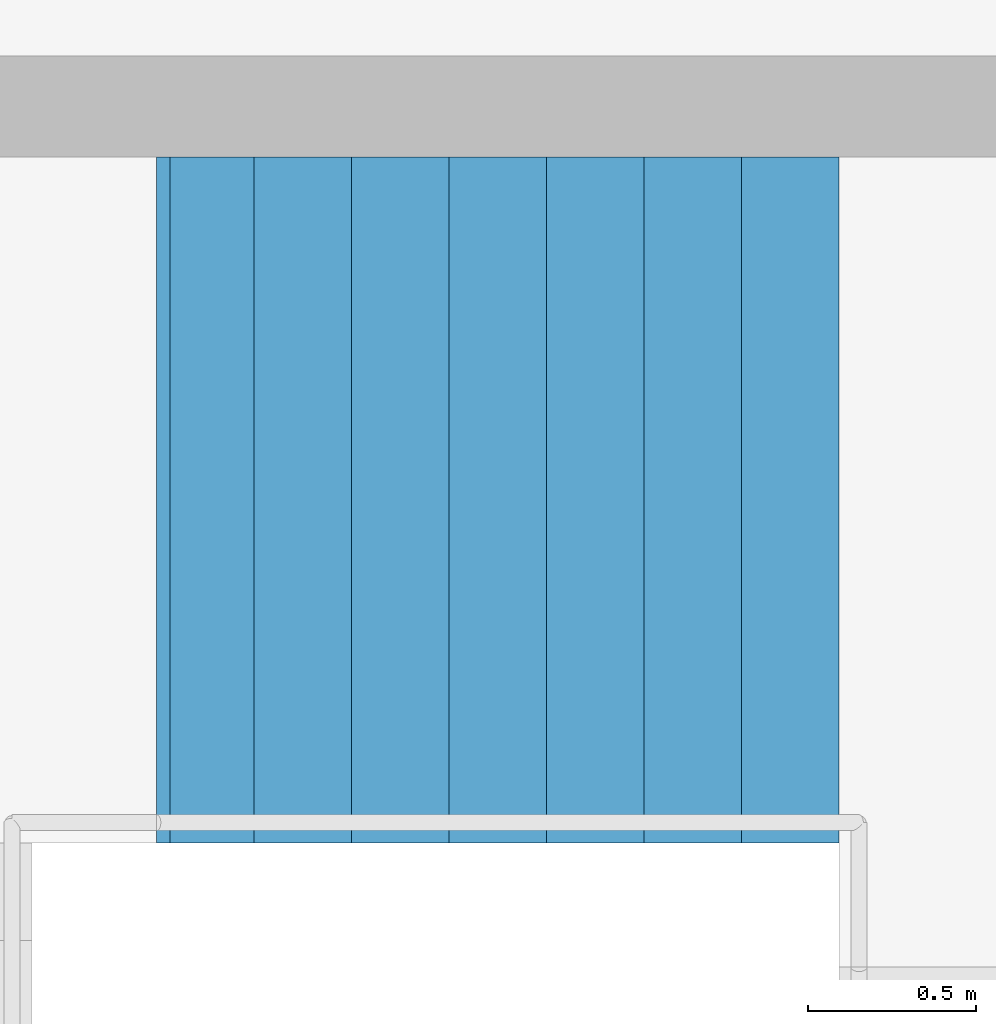
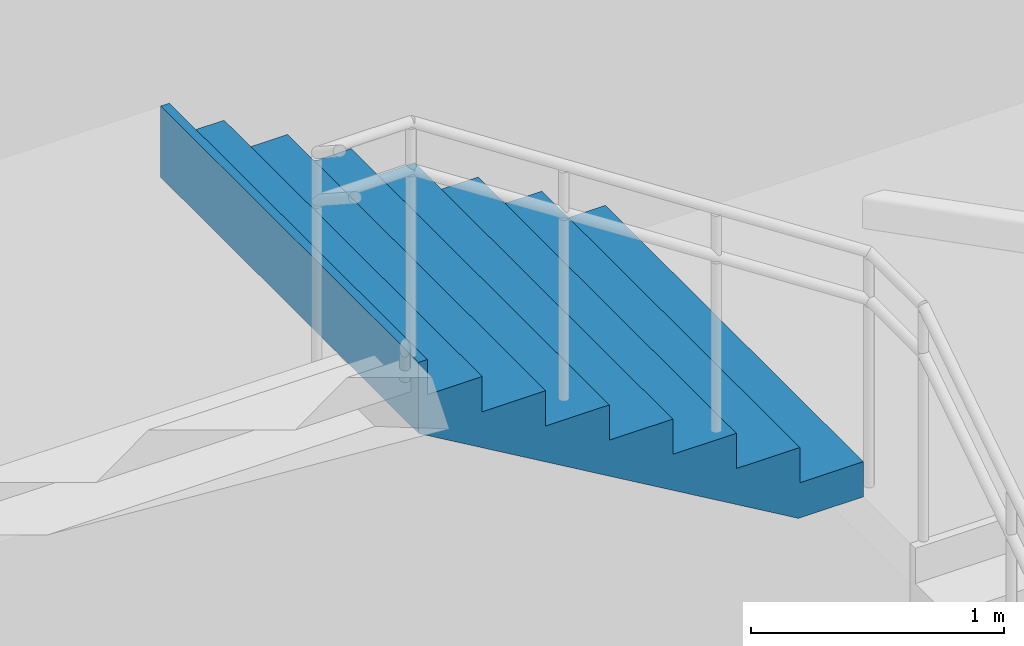
# One storey, part 62 of 74: 1 stair flight, 1 element without a shape of its own.
"""IFC4 building model written with IfcOpenShell, lengths in metres."""

from ifc_helpers import new_model, si_unit, direction, frame, origin, place, context, subcontext, project, spatial, triangles, material, type_object, element, aggregate, save


model = new_model("IFC4")

# Units and contexts
model_context = context("Model", 3, precision=1e-05, world=origin(), true_north=direction((0.0, 1.0)))
body_context = subcontext(model_context, "Body", "Model", "MODEL_VIEW")
ifc_project = project(units=[si_unit("LENGTHUNIT", "METRE"), si_unit("AREAUNIT", "SQUARE_METRE"), si_unit("VOLUMEUNIT", "CUBIC_METRE"), si_unit("PLANEANGLEUNIT", "RADIAN"), si_unit("MASSUNIT", "GRAM", prefix="KILO")], contexts=[model_context])

# Site, building, storey
site_placement = place(None, origin())
site = spatial("IfcSite", under=ifc_project, at=site_placement, CompositionType="ELEMENT")
building_placement = place(site_placement, origin())
building = spatial("IfcBuilding", under=site, at=building_placement, Name="Sillaruma Civic Art Gallery", CompositionType="ELEMENT")
storey_placement = place(building_placement, frame((0.0, 0.0, 5.43994140625)))
storey = spatial("IfcBuildingStorey", under=building, at=storey_placement, Name="L01", CompositionType="ELEMENT", Elevation=5.43994140625)

# Stair, stair flight
ifc_material = material(Name="Concrete H35 (35 MPa)", Category="concrete")
stair_type = type_object("IfcStairType", Name="STR-4F-32", PredefinedType="USERDEFINED", material=ifc_material)
stair_placement = place(storey_placement, origin())
stair = element("IfcStair", 1, at=stair_placement, inside=storey, type_object=stair_type, Name="Protected Exit Stair ST-01 (West Wing) (L01)", ObjectType="THREE_RETURN_STAIR", PredefinedType="USERDEFINED")
stair_flight_type = type_object("IfcStairFlightType", Name="SFL-STR-8", PredefinedType="STRAIGHT", material=ifc_material)
stair_flight_placement = place(storey_placement, frame((30.0, 106.159912109375, 2.719970703125), z_axis=(0.0, 0.0, 1.0), x_axis=(-1.0, 0.0, 0.0)))
stair_flight = element("IfcStairFlight", 2, at=stair_flight_placement, type_object=stair_flight_type, Name="ST-01 flight 3", NumberOfRisers=8, NumberOfTreads=7, PredefinedType="STRAIGHT", RiserHeight=0.17, TreadLength=0.29, context=body_context, shape_type="Tessellation", body=[
    triangles([(0.0, -1.02001953125, 0.0), (0.29, -1.02001953125, 0.0), (0.296443, -1.02001953125, 0.0), (0.58, -1.02001953125, 0.166223), (0.87, -1.02001953125, 0.336223), (1.16, -1.02001953125, 0.506223), (1.45, -1.02001953125, 0.676223), (1.74, -1.02001953125, 0.846223), (1.990029, -1.02001953125, 0.992792), (2.030029, -1.02001953125, 1.01624), (2.030029, -1.02001953125, 1.36), (1.990029, -1.02001953125, 1.36), (1.990029, -1.02001953125, 1.19), (1.74, -1.02001953125, 1.19), (1.74, -1.02001953125, 1.02), (1.45, -1.02001953125, 1.02), (1.45, -1.02001953125, 0.85), (1.16, -1.02001953125, 0.85), (1.16, -1.02001953125, 0.68), (0.87, -1.02001953125, 0.68), (0.87, -1.02001953125, 0.51), (0.58, -1.02001953125, 0.51), (0.58, -1.02001953125, 0.34), (0.296443, -1.02001953125, 0.34), (0.29, -1.02001953125, 0.34), (0.29, -1.02001953125, 0.17), (0.0, -1.02001953125, 0.17), (0.0, -0.05, 0.0), (0.29, -0.05, 0.0), (0.296443, -0.05, 0.0), (0.58, -0.05, 0.166223), (0.87, -0.05, 0.336223), (1.16, -0.05, 0.506223), (1.45, -0.05, 0.676223), (1.74, -0.05, 0.846223), (1.990029, -0.05, 0.992792), (2.030029, -0.05, 1.01624), (2.030029, -0.05, 1.36), (1.990029, -0.05, 1.36), (1.990029, -0.05, 1.19), (1.74, -0.05, 1.19), (1.74, -0.05, 1.02), (1.45, -0.05, 1.02), (1.45, -0.05, 0.85), (1.16, -0.05, 0.85), (1.16, -0.05, 0.68), (0.87, -0.05, 0.68), (0.87, -0.05, 0.51), (0.58, -0.05, 0.51), (0.58, -0.05, 0.34), (0.296443, -0.05, 0.34), (0.29, -0.05, 0.34), (0.29, -0.05, 0.17), (0.0, -0.05, 0.17), (0.0, -0.0375, 0.0), (0.29, -0.0375, 0.0), (0.296443, -0.0375, 0.0), (0.58, -0.0375, 0.166223), (0.87, -0.0375, 0.336223), (1.16, -0.0375, 0.506223), (1.45, -0.0375, 0.676223), (1.74, -0.0375, 0.846223), (1.990029, -0.0375, 0.992792), (2.030029, -0.0375, 1.01624), (2.030029, -0.0375, 1.36), (1.990029, -0.0375, 1.36), (1.990029, -0.0375, 1.19), (1.74, -0.0375, 1.19), (1.74, -0.0375, 1.02), (1.45, -0.0375, 1.02), (1.45, -0.0375, 0.85), (1.16, -0.0375, 0.85), (1.16, -0.0375, 0.68), (0.87, -0.0375, 0.68), (0.87, -0.0375, 0.51), (0.58, -0.0375, 0.51), (0.58, -0.0375, 0.34), (0.296443, -0.0375, 0.34), (0.29, -0.0375, 0.34), (0.29, -0.0375, 0.17), (0.0, -0.0375, 0.17), (0.0, -0.025, 0.0), (0.29, -0.025, 0.0), (0.296443, -0.025, 0.0), (0.58, -0.025, 0.166223), (0.87, -0.025, 0.336223), (1.16, -0.025, 0.506223), (1.45, -0.025, 0.676223), (1.74, -0.025, 0.846223), (1.990029, -0.025, 0.992792), (2.030029, -0.025, 1.01624), (2.030029, -0.025, 1.36), (1.990029, -0.025, 1.36), (1.990029, -0.025, 1.19), (1.74, -0.025, 1.19), (1.74, -0.025, 1.02), (1.45, -0.025, 1.02), (1.45, -0.025, 0.85), (1.16, -0.025, 0.85), (1.16, -0.025, 0.68), (0.87, -0.025, 0.68), (0.87, -0.025, 0.51), (0.58, -0.025, 0.51), (0.58, -0.025, 0.34), (0.296443, -0.025, 0.34), (0.29, -0.025, 0.34), (0.29, -0.025, 0.17), (0.0, -0.025, 0.17), (0.0, -0.0125, 0.0), (0.29, -0.0125, 0.0), (0.296443, -0.0125, 0.0), (0.58, -0.0125, 0.166223), (0.87, -0.0125, 0.336223), (1.16, -0.0125, 0.506223), (1.45, -0.0125, 0.676223), (1.74, -0.0125, 0.846223), (1.990029, -0.0125, 0.992792), (2.030029, -0.0125, 1.01624), (2.030029, -0.0125, 1.36), (1.990029, -0.0125, 1.36), (1.990029, -0.0125, 1.19), (1.74, -0.0125, 1.19), (1.74, -0.0125, 1.02), (1.45, -0.0125, 1.02), (1.45, -0.0125, 0.85), (1.16, -0.0125, 0.85), (1.16, -0.0125, 0.68), (0.87, -0.0125, 0.68), (0.87, -0.0125, 0.51), (0.58, -0.0125, 0.51), (0.58, -0.0125, 0.34), (0.296443, -0.0125, 0.34), (0.29, -0.0125, 0.34), (0.29, -0.0125, 0.17), (0.0, -0.0125, 0.17), (0.0, 0.0, 0.0), (0.29, 0.0, 0.0), (0.296443, 0.0, 0.0), (0.58, 0.0, 0.166223), (0.87, 0.0, 0.336223), (1.16, 0.0, 0.506223), (1.45, 0.0, 0.676223), (1.74, 0.0, 0.846223), (1.990029, 0.0, 0.992792), (2.030029, 0.0, 1.01624), (2.030029, 0.0, 1.36), (1.990029, 0.0, 1.36), (1.990029, 0.0, 1.19), (1.74, 0.0, 1.19), (1.74, 0.0, 1.02), (1.45, 0.0, 1.02), (1.45, 0.0, 0.85), (1.16, 0.0, 0.85), (1.16, 0.0, 0.68), (0.87, 0.0, 0.68), (0.87, 0.0, 0.51), (0.58, 0.0, 0.51), (0.58, 0.0, 0.34), (0.296443, 0.0, 0.34), (0.29, 0.0, 0.34), (0.29, 0.0, 0.17), (0.0, 0.0, 0.17), (0.0, 0.0125, 0.0), (0.29, 0.0125, 0.0), (0.296443, 0.0125, 0.0), (0.58, 0.0125, 0.166223), (0.87, 0.0125, 0.336223), (1.16, 0.0125, 0.506223), (1.45, 0.0125, 0.676223), (1.74, 0.0125, 0.846223), (1.990029, 0.0125, 0.992792), (2.030029, 0.0125, 1.01624), (2.030029, 0.0125, 1.36), (1.990029, 0.0125, 1.36), (1.990029, 0.0125, 1.19), (1.74, 0.0125, 1.19), (1.74, 0.0125, 1.02), (1.45, 0.0125, 1.02), (1.45, 0.0125, 0.85), (1.16, 0.0125, 0.85), (1.16, 0.0125, 0.68), (0.87, 0.0125, 0.68), (0.87, 0.0125, 0.51), (0.58, 0.0125, 0.51), (0.58, 0.0125, 0.34), (0.296443, 0.0125, 0.34), (0.29, 0.0125, 0.34), (0.29, 0.0125, 0.17), (0.0, 0.0125, 0.17), (0.0, 0.025, 0.0), (0.29, 0.025, 0.0), (0.296443, 0.025, 0.0), (0.58, 0.025, 0.166223), (0.87, 0.025, 0.336223), (1.16, 0.025, 0.506223), (1.45, 0.025, 0.676223), (1.74, 0.025, 0.846223), (1.990029, 0.025, 0.992792), (2.030029, 0.025, 1.01624), (2.030029, 0.025, 1.36), (1.990029, 0.025, 1.36), (1.990029, 0.025, 1.19), (1.74, 0.025, 1.19), (1.74, 0.025, 1.02), (1.45, 0.025, 1.02), (1.45, 0.025, 0.85), (1.16, 0.025, 0.85), (1.16, 0.025, 0.68), (0.87, 0.025, 0.68), (0.87, 0.025, 0.51), (0.58, 0.025, 0.51), (0.58, 0.025, 0.34), (0.296443, 0.025, 0.34), (0.29, 0.025, 0.34), (0.29, 0.025, 0.17), (0.0, 0.025, 0.17), (0.0, 0.0375, 0.0), (0.29, 0.0375, 0.0), (0.296443, 0.0375, 0.0), (0.58, 0.0375, 0.166223), (0.87, 0.0375, 0.336223), (1.16, 0.0375, 0.506223), (1.45, 0.0375, 0.676223), (1.74, 0.0375, 0.846223), (1.990029, 0.0375, 0.992792), (2.030029, 0.0375, 1.01624), (2.030029, 0.0375, 1.36), (1.990029, 0.0375, 1.36), (1.990029, 0.0375, 1.19), (1.74, 0.0375, 1.19), (1.74, 0.0375, 1.02), (1.45, 0.0375, 1.02), (1.45, 0.0375, 0.85), (1.16, 0.0375, 0.85), (1.16, 0.0375, 0.68), (0.87, 0.0375, 0.68), (0.87, 0.0375, 0.51), (0.58, 0.0375, 0.51), (0.58, 0.0375, 0.34), (0.296443, 0.0375, 0.34), (0.29, 0.0375, 0.34), (0.29, 0.0375, 0.17), (0.0, 0.0375, 0.17), (0.0, 0.05, 0.0), (0.29, 0.05, 0.0), (0.296443, 0.05, 0.0), (0.58, 0.05, 0.166223), (0.87, 0.05, 0.336223), (1.16, 0.05, 0.506223), (1.45, 0.05, 0.676223), (1.74, 0.05, 0.846223), (1.990029, 0.05, 0.992792), (2.030029, 0.05, 1.01624), (2.030029, 0.05, 1.36), (1.990029, 0.05, 1.36), (1.990029, 0.05, 1.19), (1.74, 0.05, 1.19), (1.74, 0.05, 1.02), (1.45, 0.05, 1.02), (1.45, 0.05, 0.85), (1.16, 0.05, 0.85), (1.16, 0.05, 0.68), (0.87, 0.05, 0.68), (0.87, 0.05, 0.51), (0.58, 0.05, 0.51), (0.58, 0.05, 0.34), (0.296443, 0.05, 0.34), (0.29, 0.05, 0.34), (0.29, 0.05, 0.17), (0.0, 0.05, 0.17), (0.0, 1.02001953125, 0.0), (0.29, 1.02001953125, 0.0), (0.296443, 1.02001953125, 0.0), (0.58, 1.02001953125, 0.166223), (0.87, 1.02001953125, 0.336223), (1.16, 1.02001953125, 0.506223), (1.45, 1.02001953125, 0.676223), (1.74, 1.02001953125, 0.846223), (1.990029, 1.02001953125, 0.992792), (2.030029, 1.02001953125, 1.01624), (2.030029, 1.02001953125, 1.36), (1.990029, 1.02001953125, 1.36), (1.990029, 1.02001953125, 1.19), (1.74, 1.02001953125, 1.19), (1.74, 1.02001953125, 1.02), (1.45, 1.02001953125, 1.02), (1.45, 1.02001953125, 0.85), (1.16, 1.02001953125, 0.85), (1.16, 1.02001953125, 0.68), (0.87, 1.02001953125, 0.68), (0.87, 1.02001953125, 0.51), (0.58, 1.02001953125, 0.51), (0.58, 1.02001953125, 0.34), (0.296443, 1.02001953125, 0.34), (0.29, 1.02001953125, 0.34), (0.29, 1.02001953125, 0.17), (0.0, 1.02001953125, 0.17)], [[1, 2, 26], [1, 26, 27], [2, 3, 24], [2, 24, 26], [26, 24, 25], [3, 4, 23], [3, 23, 24], [4, 5, 21], [4, 21, 23], [23, 21, 22], [5, 6, 19], [5, 19, 21], [21, 19, 20], [6, 7, 17], [6, 17, 19], [19, 17, 18], [7, 8, 15], [7, 15, 17], [17, 15, 16], [8, 9, 13], [8, 13, 15], [15, 13, 14], [9, 10, 11], [9, 11, 13], [13, 11, 12], [296, 272, 271], [297, 296, 271], [294, 273, 272], [296, 294, 272], [295, 294, 296], [293, 274, 273], [294, 293, 273], [291, 275, 274], [293, 291, 274], [292, 291, 293], [289, 276, 275], [291, 289, 275], [290, 289, 291], [287, 277, 276], [289, 287, 276], [288, 287, 289], [285, 278, 277], [287, 285, 277], [286, 285, 287], [283, 279, 278], [285, 283, 278], [284, 283, 285], [281, 280, 279], [283, 281, 279], [282, 281, 283], [2, 1, 28], [2, 28, 29], [3, 2, 29], [3, 29, 30], [4, 3, 30], [4, 30, 31], [5, 4, 31], [5, 31, 32], [6, 5, 32], [6, 32, 33], [7, 6, 33], [7, 33, 34], [8, 7, 34], [8, 34, 35], [9, 8, 35], [9, 35, 36], [10, 9, 36], [10, 36, 37], [11, 10, 37], [11, 37, 38], [12, 11, 38], [12, 38, 39], [13, 12, 39], [13, 39, 40], [14, 13, 40], [14, 40, 41], [15, 14, 41], [15, 41, 42], [16, 15, 42], [16, 42, 43], [17, 16, 43], [17, 43, 44], [18, 17, 44], [18, 44, 45], [19, 18, 45], [19, 45, 46], [20, 19, 46], [20, 46, 47], [21, 20, 47], [21, 47, 48], [22, 21, 48], [22, 48, 49], [23, 22, 49], [23, 49, 50], [24, 23, 50], [24, 50, 51], [25, 24, 51], [25, 51, 52], [26, 25, 52], [26, 52, 53], [27, 26, 53], [27, 53, 54], [1, 27, 54], [1, 54, 28], [29, 28, 55], [29, 55, 56], [30, 29, 56], [30, 56, 57], [31, 30, 57], [31, 57, 58], [32, 31, 58], [32, 58, 59], [33, 32, 59], [33, 59, 60], [34, 33, 60], [34, 60, 61], [35, 34, 61], [35, 61, 62], [36, 35, 62], [36, 62, 63], [37, 36, 63], [37, 63, 64], [38, 37, 64], [38, 64, 65], [39, 38, 65], [39, 65, 66], [40, 39, 66], [40, 66, 67], [41, 40, 67], [41, 67, 68], [42, 41, 68], [42, 68, 69], [43, 42, 69], [43, 69, 70], [44, 43, 70], [44, 70, 71], [45, 44, 71], [45, 71, 72], [46, 45, 72], [46, 72, 73], [47, 46, 73], [47, 73, 74], [48, 47, 74], [48, 74, 75], [49, 48, 75], [49, 75, 76], [50, 49, 76], [50, 76, 77], [51, 50, 77], [51, 77, 78], [52, 51, 78], [52, 78, 79], [53, 52, 79], [53, 79, 80], [54, 53, 80], [54, 80, 81], [28, 54, 81], [28, 81, 55], [56, 55, 82], [56, 82, 83], [57, 56, 83], [57, 83, 84], [58, 57, 84], [58, 84, 85], [59, 58, 85], [59, 85, 86], [60, 59, 86], [60, 86, 87], [61, 60, 87], [61, 87, 88], [62, 61, 88], [62, 88, 89], [63, 62, 89], [63, 89, 90], [64, 63, 90], [64, 90, 91], [65, 64, 91], [65, 91, 92], [66, 65, 92], [66, 92, 93], [67, 66, 93], [67, 93, 94], [68, 67, 94], [68, 94, 95], [69, 68, 95], [69, 95, 96], [70, 69, 96], [70, 96, 97], [71, 70, 97], [71, 97, 98], [72, 71, 98], [72, 98, 99], [73, 72, 99], [73, 99, 100], [74, 73, 100], [74, 100, 101], [75, 74, 101], [75, 101, 102], [76, 75, 102], [76, 102, 103], [77, 76, 103], [77, 103, 104], [78, 77, 104], [78, 104, 105], [79, 78, 105], [79, 105, 106], [80, 79, 106], [80, 106, 107], [81, 80, 107], [81, 107, 108], [55, 81, 108], [55, 108, 82], [83, 82, 109], [83, 109, 110], [84, 83, 110], [84, 110, 111], [85, 84, 111], [85, 111, 112], [86, 85, 112], [86, 112, 113], [87, 86, 113], [87, 113, 114], [88, 87, 114], [88, 114, 115], [89, 88, 115], [89, 115, 116], [90, 89, 116], [90, 116, 117], [91, 90, 117], [91, 117, 118], [92, 91, 118], [92, 118, 119], [93, 92, 119], [93, 119, 120], [94, 93, 120], [94, 120, 121], [95, 94, 121], [95, 121, 122], [96, 95, 122], [96, 122, 123], [97, 96, 123], [97, 123, 124], [98, 97, 124], [98, 124, 125], [99, 98, 125], [99, 125, 126], [100, 99, 126], [100, 126, 127], [101, 100, 127], [101, 127, 128], [102, 101, 128], [102, 128, 129], [103, 102, 129], [103, 129, 130], [104, 103, 130], [104, 130, 131], [105, 104, 131], [105, 131, 132], [106, 105, 132], [106, 132, 133], [107, 106, 133], [107, 133, 134], [108, 107, 134], [108, 134, 135], [82, 108, 135], [82, 135, 109], [110, 109, 136], [110, 136, 137], [111, 110, 137], [111, 137, 138], [112, 111, 138], [112, 138, 139], [113, 112, 139], [113, 139, 140], [114, 113, 140], [114, 140, 141], [115, 114, 141], [115, 141, 142], [116, 115, 142], [116, 142, 143], [117, 116, 143], [117, 143, 144], [118, 117, 144], [118, 144, 145], [119, 118, 145], [119, 145, 146], [120, 119, 146], [120, 146, 147], [121, 120, 147], [121, 147, 148], [122, 121, 148], [122, 148, 149], [123, 122, 149], [123, 149, 150], [124, 123, 150], [124, 150, 151], [125, 124, 151], [125, 151, 152], [126, 125, 152], [126, 152, 153], [127, 126, 153], [127, 153, 154], [128, 127, 154], [128, 154, 155], [129, 128, 155], [129, 155, 156], [130, 129, 156], [130, 156, 157], [131, 130, 157], [131, 157, 158], [132, 131, 158], [132, 158, 159], [133, 132, 159], [133, 159, 160], [134, 133, 160], [134, 160, 161], [135, 134, 161], [135, 161, 162], [109, 135, 162], [109, 162, 136], [137, 136, 163], [137, 163, 164], [138, 137, 164], [138, 164, 165], [139, 138, 165], [139, 165, 166], [140, 139, 166], [140, 166, 167], [141, 140, 167], [141, 167, 168], [142, 141, 168], [142, 168, 169], [143, 142, 169], [143, 169, 170], [144, 143, 170], [144, 170, 171], [145, 144, 171], [145, 171, 172], [146, 145, 172], [146, 172, 173], [147, 146, 173], [147, 173, 174], [148, 147, 174], [148, 174, 175], [149, 148, 175], [149, 175, 176], [150, 149, 176], [150, 176, 177], [151, 150, 177], [151, 177, 178], [152, 151, 178], [152, 178, 179], [153, 152, 179], [153, 179, 180], [154, 153, 180], [154, 180, 181], [155, 154, 181], [155, 181, 182], [156, 155, 182], [156, 182, 183], [157, 156, 183], [157, 183, 184], [158, 157, 184], [158, 184, 185], [159, 158, 185], [159, 185, 186], [160, 159, 186], [160, 186, 187], [161, 160, 187], [161, 187, 188], [162, 161, 188], [162, 188, 189], [136, 162, 189], [136, 189, 163], [164, 163, 190], [164, 190, 191], [165, 164, 191], [165, 191, 192], [166, 165, 192], [166, 192, 193], [167, 166, 193], [167, 193, 194], [168, 167, 194], [168, 194, 195], [169, 168, 195], [169, 195, 196], [170, 169, 196], [170, 196, 197], [171, 170, 197], [171, 197, 198], [172, 171, 198], [172, 198, 199], [173, 172, 199], [173, 199, 200], [174, 173, 200], [174, 200, 201], [175, 174, 201], [175, 201, 202], [176, 175, 202], [176, 202, 203], [177, 176, 203], [177, 203, 204], [178, 177, 204], [178, 204, 205], [179, 178, 205], [179, 205, 206], [180, 179, 206], [180, 206, 207], [181, 180, 207], [181, 207, 208], [182, 181, 208], [182, 208, 209], [183, 182, 209], [183, 209, 210], [184, 183, 210], [184, 210, 211], [185, 184, 211], [185, 211, 212], [186, 185, 212], [186, 212, 213], [187, 186, 213], [187, 213, 214], [188, 187, 214], [188, 214, 215], [189, 188, 215], [189, 215, 216], [163, 189, 216], [163, 216, 190], [191, 190, 217], [191, 217, 218], [192, 191, 218], [192, 218, 219], [193, 192, 219], [193, 219, 220], [194, 193, 220], [194, 220, 221], [195, 194, 221], [195, 221, 222], [196, 195, 222], [196, 222, 223], [197, 196, 223], [197, 223, 224], [198, 197, 224], [198, 224, 225], [199, 198, 225], [199, 225, 226], [200, 199, 226], [200, 226, 227], [201, 200, 227], [201, 227, 228], [202, 201, 228], [202, 228, 229], [203, 202, 229], [203, 229, 230], [204, 203, 230], [204, 230, 231], [205, 204, 231], [205, 231, 232], [206, 205, 232], [206, 232, 233], [207, 206, 233], [207, 233, 234], [208, 207, 234], [208, 234, 235], [209, 208, 235], [209, 235, 236], [210, 209, 236], [210, 236, 237], [211, 210, 237], [211, 237, 238], [212, 211, 238], [212, 238, 239], [213, 212, 239], [213, 239, 240], [214, 213, 240], [214, 240, 241], [215, 214, 241], [215, 241, 242], [216, 215, 242], [216, 242, 243], [190, 216, 243], [190, 243, 217], [218, 217, 244], [218, 244, 245], [219, 218, 245], [219, 245, 246], [220, 219, 246], [220, 246, 247], [221, 220, 247], [221, 247, 248], [222, 221, 248], [222, 248, 249], [223, 222, 249], [223, 249, 250], [224, 223, 250], [224, 250, 251], [225, 224, 251], [225, 251, 252], [226, 225, 252], [226, 252, 253], [227, 226, 253], [227, 253, 254], [228, 227, 254], [228, 254, 255], [229, 228, 255], [229, 255, 256], [230, 229, 256], [230, 256, 257], [231, 230, 257], [231, 257, 258], [232, 231, 258], [232, 258, 259], [233, 232, 259], [233, 259, 260], [234, 233, 260], [234, 260, 261], [235, 234, 261], [235, 261, 262], [236, 235, 262], [236, 262, 263], [237, 236, 263], [237, 263, 264], [238, 237, 264], [238, 264, 265], [239, 238, 265], [239, 265, 266], [240, 239, 266], [240, 266, 267], [241, 240, 267], [241, 267, 268], [242, 241, 268], [242, 268, 269], [243, 242, 269], [243, 269, 270], [217, 243, 270], [217, 270, 244], [245, 244, 271], [245, 271, 272], [246, 245, 272], [246, 272, 273], [247, 246, 273], [247, 273, 274], [248, 247, 274], [248, 274, 275], [249, 248, 275], [249, 275, 276], [250, 249, 276], [250, 276, 277], [251, 250, 277], [251, 277, 278], [252, 251, 278], [252, 278, 279], [253, 252, 279], [253, 279, 280], [254, 253, 280], [254, 280, 281], [255, 254, 281], [255, 281, 282], [256, 255, 282], [256, 282, 283], [257, 256, 283], [257, 283, 284], [258, 257, 284], [258, 284, 285], [259, 258, 285], [259, 285, 286], [260, 259, 286], [260, 286, 287], [261, 260, 287], [261, 287, 288], [262, 261, 288], [262, 288, 289], [263, 262, 289], [263, 289, 290], [264, 263, 290], [264, 290, 291], [265, 264, 291], [265, 291, 292], [266, 265, 292], [266, 292, 293], [267, 266, 293], [267, 293, 294], [268, 267, 294], [268, 294, 295], [269, 268, 295], [269, 295, 296], [270, 269, 296], [270, 296, 297], [244, 270, 297], [244, 297, 271]], closed=True),
])
aggregate(stair, [stair_flight])

save(model, "model.ifc")
